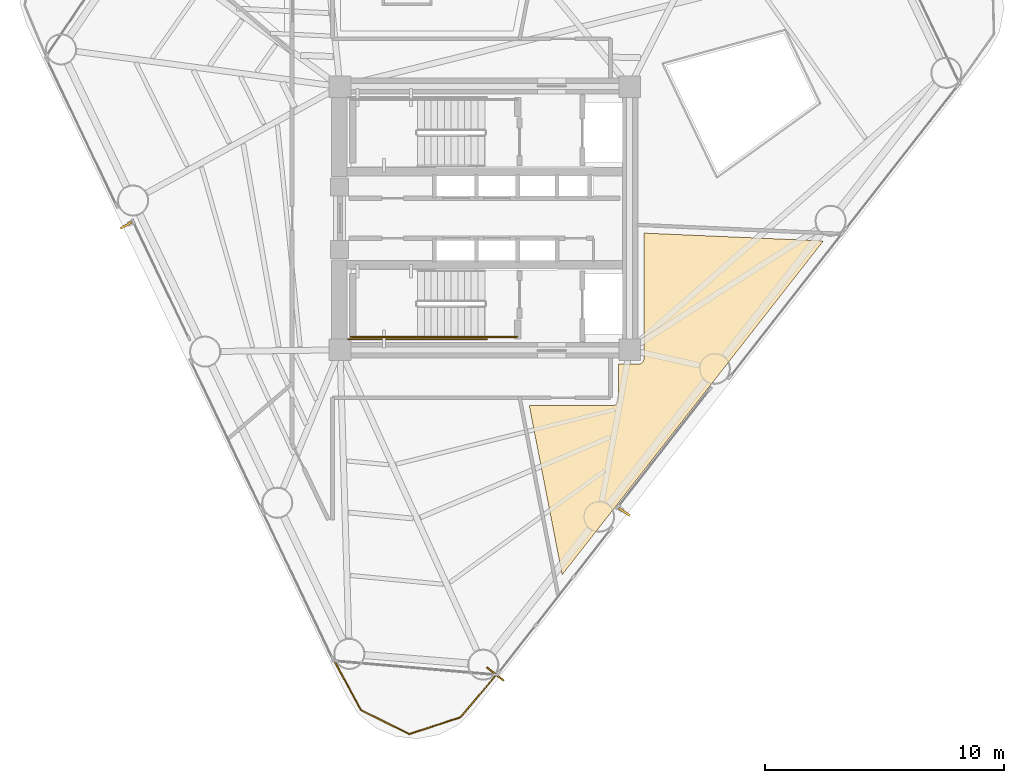
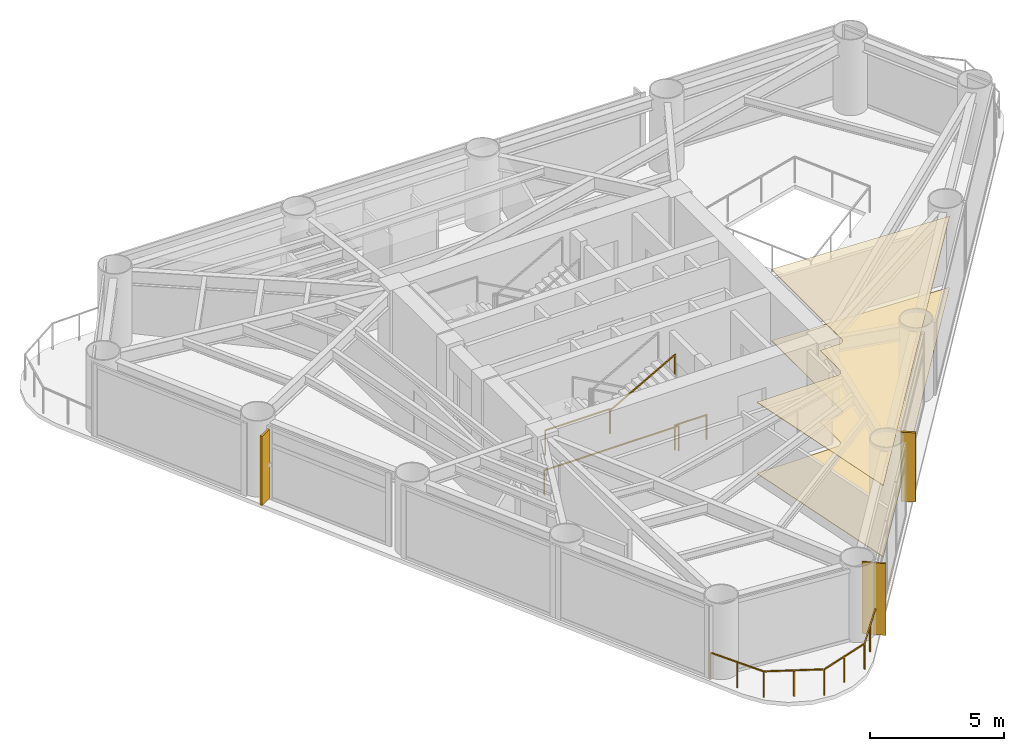
# One storey, part 8 of 10: 5 railings, 3 coverings, 2 shading devices.
"""IFC4 building model written with IfcOpenShell, lengths in metres."""

from ifc_helpers import new_model, si_unit, direction, frame, origin, origin_2d, place, context, subcontext, project, spatial, polyline, rectangle, outline, extrude, source, transform, mapped, material, layer, layer_set, material_profile, profile_set, type_object, element, save


model = new_model("IFC4")

# Units and contexts
model_context = context("Model", 3, precision=1e-05, world=origin(), true_north=direction((0.0, 1.0)))
body_context = subcontext(model_context, "Body", "Model", "MODEL_VIEW")
ifc_project = project(units=[si_unit("LENGTHUNIT", "METRE"), si_unit("AREAUNIT", "SQUARE_METRE"), si_unit("VOLUMEUNIT", "CUBIC_METRE"), si_unit("PLANEANGLEUNIT", "RADIAN"), si_unit("MASSUNIT", "GRAM", prefix="KILO")], contexts=[model_context])

# Site, building, storey
site_placement = place(None, origin())
site = spatial("IfcSite", under=ifc_project, at=site_placement, CompositionType="ELEMENT")
building_placement = place(site_placement, origin())
building = spatial("IfcBuilding", under=site, at=building_placement, Name="Yunling Apex Tower", CompositionType="ELEMENT")
storey_placement = place(building_placement, frame((0.0, 0.0, 146.75)))
storey = spatial("IfcBuildingStorey", under=building, at=storey_placement, Name="L36", CompositionType="ELEMENT", Elevation=146.75)

# Coverings
ifc_material_1 = material(Name="Acoustic mineral fibre ceiling")
ifc_layer_1 = layer(ifc_material_1, 0.02490234375)
ifc_layer_set_1 = layer_set([ifc_layer_1], Name="Acoustic mineral fibre ceiling")
covering_type_1 = type_object("IfcCoveringType", Name="CV-CLG-1", PredefinedType="CEILING", material=ifc_layer_set_1)
covering_1_placement = place(storey_placement, frame((0.0, 0.0, 3.2451171875)))
element("IfcCovering", 1, at=covering_1_placement, inside=storey, type_object=covering_type_1, Name="CV-CL-SP-L36-HAM1", PredefinedType="CEILING", context=body_context, shape_type="SweptSolid", body=[
    extrude(outline(polyline([(14.145263671875, -0.947998046875), (3.231689453125, -14.896484375), (1.858154296875, -7.830078125), (5.333740234375, -7.830078125), (5.35498046875, -7.829345703125), (5.380615234375, -7.824951171875), (5.402587890625, -7.819580078125), (5.4248046875, -7.8115234375), (5.4482421875, -7.80078125), (5.469970703125, -7.787353515625), (5.48876953125, -7.7734375), (5.5068359375, -7.7568359375), (5.5234375, -7.73876953125), (5.537353515625, -7.719970703125), (5.55078125, -7.6982421875), (5.5615234375, -7.6748046875), (5.569580078125, -7.652587890625), (5.574951171875, -7.630615234375), (5.579345703125, -7.60498046875), (5.580078125, -7.583740234375), (5.580078125, -6.10009765625), (6.40380859375, -6.10009765625), (6.4248046875, -6.099365234375), (6.45068359375, -6.094970703125), (6.472412109375, -6.089599609375), (6.494873046875, -6.08154296875), (6.518310546875, -6.07080078125), (6.5400390625, -6.057373046875), (6.55859375, -6.04345703125), (6.576904296875, -6.02685546875), (6.593505859375, -6.0087890625), (6.607421875, -5.989990234375), (6.62060546875, -5.96826171875), (6.631591796875, -5.94482421875), (6.639404296875, -5.922607421875), (6.64501953125, -5.900634765625), (6.6494140625, -5.875), (6.64990234375, -5.853759765625), (6.64990234375, -0.62060546875), (14.145263671875, -0.947998046875)])), origin(), (0.0, 0.0, 1.0), 0.02490234375),
])
ifc_material_2 = material(Name="Polished granite stone", Category="masonry")
ifc_layer_2 = layer(ifc_material_2, 0.030029296875)
ifc_layer_set_2 = layer_set([ifc_layer_2], Name="Polished granite stone")
covering_type_2 = type_object("IfcCoveringType", Name="CV-FLR-1", PredefinedType="FLOORING", material=ifc_layer_set_2)
covering_2_placement = place(storey_placement, origin())
element("IfcCovering", 2, at=covering_2_placement, inside=storey, type_object=covering_type_2, Name="CV-FL-SP-L36-HAM1", PredefinedType="FLOORING", context=body_context, shape_type="SweptSolid", body=[
    extrude(outline(polyline([(14.145263671875, -0.947998046875), (3.231689453125, -14.896484375), (1.858154296875, -7.830078125), (5.333740234375, -7.830078125), (5.35498046875, -7.829345703125), (5.380615234375, -7.824951171875), (5.402587890625, -7.819580078125), (5.4248046875, -7.8115234375), (5.4482421875, -7.80078125), (5.469970703125, -7.787353515625), (5.48876953125, -7.7734375), (5.5068359375, -7.7568359375), (5.5234375, -7.73876953125), (5.537353515625, -7.719970703125), (5.55078125, -7.6982421875), (5.5615234375, -7.6748046875), (5.569580078125, -7.652587890625), (5.574951171875, -7.630615234375), (5.579345703125, -7.60498046875), (5.580078125, -7.583740234375), (5.580078125, -6.10009765625), (6.40380859375, -6.10009765625), (6.4248046875, -6.099365234375), (6.45068359375, -6.094970703125), (6.472412109375, -6.089599609375), (6.494873046875, -6.08154296875), (6.518310546875, -6.07080078125), (6.5400390625, -6.057373046875), (6.55859375, -6.04345703125), (6.576904296875, -6.02685546875), (6.593505859375, -6.0087890625), (6.607421875, -5.989990234375), (6.62060546875, -5.96826171875), (6.631591796875, -5.94482421875), (6.639404296875, -5.922607421875), (6.64501953125, -5.900634765625), (6.6494140625, -5.875), (6.64990234375, -5.853759765625), (6.64990234375, -0.62060546875), (14.145263671875, -0.947998046875)])), origin(), (0.0, 0.0, 1.0), 0.030029296875),
])

# Railings
ifc_material_3 = material(Name="Bronze anodised aluminium", Category="aluminium")
railing_type_1 = type_object("IfcRailingType", Name="RL-BAL-1200", PredefinedType="BALUSTRADE", material=ifc_material_3)
railing_1_placement = place(storey_placement, frame((0.4794921875, -19.07958984375, 0.0)))
element("IfcRailing", 3, at=railing_1_placement, inside=storey, type_object=railing_type_1, Name="RL-CRNSILL-L36-3", PredefinedType="BALUSTRADE", context=body_context, shape_type="SweptSolid", body=[
    extrude(rectangle(XDim=0.0439453125, YDim=0.0439453125, at=origin_2d()), origin(), (0.0, 0.0, 1.0), 1.199951171875),
    extrude(rectangle(XDim=0.0439453125, YDim=0.0439453125, at=origin_2d()), frame((-1.49853515625, -1.775390625, 0.0)), (0.0, 0.0, 1.0), 1.199951171875),
    extrude(rectangle(XDim=0.050048828125, YDim=0.050048828125, at=origin_2d()), frame((-0.024658203125, -0.029296875, 1.1748046875), z_axis=(-0.645009043245, -0.764174936865, 0.0), x_axis=(0.764174936865, -0.645009043245, 0.0)), (0.0, 0.0, 1.0), 2.24658203125),
    extrude(rectangle(XDim=0.0439453125, YDim=0.0439453125, at=origin_2d()), frame((-0.749267578125, -0.8876953125, 0.0)), (0.0, 0.0, 1.0), 1.14599609375),
    extrude(rectangle(XDim=0.0439453125, YDim=0.0439453125, at=origin_2d()), frame((-3.640380859375, -2.473876953125, 0.0)), (0.0, 0.0, 1.0), 1.199951171875),
    extrude(rectangle(XDim=0.050048828125, YDim=0.050048828125, at=origin_2d()), frame((-1.534912109375, -1.787353515625, 1.1748046875), z_axis=(-0.950722201045, -0.310044023389, 0.0), x_axis=(0.310044023389, -0.950722201045, 0.0)), (0.0, 0.0, 1.0), 2.17626953125),
    extrude(rectangle(XDim=0.0439453125, YDim=0.0439453125, at=origin_2d()), frame((-2.5693359375, -2.12451171875, 0.0)), (0.0, 0.0, 1.0), 1.14599609375),
    extrude(rectangle(XDim=0.0439453125, YDim=0.0439453125, at=origin_2d()), frame((-5.662841796875, -1.464111328125, 0.0)), (0.0, 0.0, 1.0), 1.199951171875),
    extrude(rectangle(XDim=0.050048828125, YDim=0.050048828125, at=origin_2d()), frame((-3.674560546875, -2.456787109375, 1.1748046875), z_axis=(-0.894686244893, 0.446695112129, 0.0), x_axis=(-0.446695112129, -0.894686244893, 0.0)), (0.0, 0.0, 1.0), 2.183837890625),
    extrude(rectangle(XDim=0.0439453125, YDim=0.0439453125, at=origin_2d()), frame((-4.651611328125, -1.968994140625, 0.0)), (0.0, 0.0, 1.0), 1.14599609375),
    extrude(rectangle(XDim=0.0439453125, YDim=0.0439453125, at=origin_2d()), frame((-6.76416015625, 0.580810546875, 0.0)), (0.0, 0.0, 1.0), 1.199951171875),
    extrude(rectangle(XDim=0.050048828125, YDim=0.050048828125, at=origin_2d()), frame((-5.680908203125, -1.430419921875, 1.1748046875), z_axis=(-0.474168772438, 0.880433969838, 0.0), x_axis=(-0.880433969838, -0.474168772438, 0.0)), (0.0, 0.0, 1.0), 2.245849609375),
    extrude(rectangle(XDim=0.0439453125, YDim=0.0439453125, at=origin_2d()), frame((-6.21337890625, -0.441650390625, 0.0)), (0.0, 0.0, 1.0), 1.14599609375),
])
ifc_material_4 = material(Name="Steel Q355B", Category="steel")
railing_type_2 = type_object("IfcRailingType", Name="RL-GRD-1150", PredefinedType="GUARDRAIL", material=ifc_material_4)
railing_2_placement = place(storey_placement, frame((-2.81005859375, -4.9599609375, 1.72509765625)))
element("IfcRailing", 4, at=railing_2_placement, inside=storey, type_object=railing_type_2, Name="L36 ST-2 stair guard 3", PredefinedType="GUARDRAIL", context=body_context, shape_type="SweptSolid", body=[
    extrude(rectangle(XDim=0.0439453125, YDim=0.0439453125, at=origin_2d()), origin(), (0.0, 0.0, 1.0), 1.14990234375),
    extrude(rectangle(XDim=0.0439453125, YDim=0.0439453125, at=origin_2d()), frame((-2.7900390625, 0.0, 0.0)), (0.0, 0.0, 1.0), 1.14990234375),
    extrude(rectangle(XDim=0.050048828125, YDim=0.050048828125, at=origin_2d()), frame((-0.038330078125, 0.0, 1.125), z_axis=(-1.0, 0.0, 0.0), x_axis=(0.0, -1.0, 0.0)), (0.0, 0.0, 1.0), 2.71337890625),
])
railing_3_placement = place(storey_placement, frame((1.35009765625, -4.9599609375, 0.0)))
element("IfcRailing", 5, at=railing_3_placement, inside=storey, type_object=railing_type_2, Name="L36 ST-2 stair guard 6", PredefinedType="GUARDRAIL", context=body_context, shape_type="SweptSolid", body=[
    extrude(rectangle(XDim=0.0439453125, YDim=0.0439453125, at=origin_2d()), origin(), (0.0, 0.0, 1.0), 1.14990234375),
    extrude(rectangle(XDim=0.0439453125, YDim=0.0439453125, at=origin_2d()), frame((-1.360107421875, 0.0, 0.0)), (0.0, 0.0, 1.0), 1.14990234375),
    extrude(rectangle(XDim=0.050048828125, YDim=0.050048828125, at=origin_2d()), frame((-0.038330078125, 0.0, 1.125), z_axis=(-1.0, 0.0, 0.0), x_axis=(0.0, -1.0, 0.0)), (0.0, 0.0, 1.0), 1.283447265625),
])
railing_4_placement = place(storey_placement, frame((0.090087890625, -5.06005859375, 0.0)))
element("IfcRailing", 6, at=railing_4_placement, inside=storey, type_object=railing_type_2, Name="L36 ST-2 stair guard 7", PredefinedType="GUARDRAIL", context=body_context, shape_type="SweptSolid", body=[
    extrude(rectangle(XDim=0.0439453125, YDim=0.0439453125, at=origin_2d()), origin(), (0.0, 0.0, 1.0), 1.14990234375),
    extrude(rectangle(XDim=0.0439453125, YDim=0.0439453125, at=origin_2d()), frame((-5.7900390625, 0.0, 0.0)), (0.0, 0.0, 1.0), 1.14990234375),
    extrude(rectangle(XDim=0.050048828125, YDim=0.050048828125, at=origin_2d()), frame((-0.038330078125, 0.0, 1.125), z_axis=(-1.0, 0.0, 0.0), x_axis=(0.0, -1.0, 0.0)), (0.0, 0.0, 1.0), 5.71337890625),
])
ifc_material_5 = material(Name="Silver anodised aluminium", Category="aluminium")
railing_type_3 = type_object("IfcRailingType", Name="RL-HND-900", PredefinedType="HANDRAIL", material=ifc_material_5)
railing_5_placement = place(storey_placement, frame((-2.81005859375, -4.9599609375, 1.8818359375)))
element("IfcRailing", 7, at=railing_5_placement, inside=storey, type_object=railing_type_3, Name="L36 ST-2 stair handrail 2", PredefinedType="HANDRAIL", context=body_context, shape_type="SweptSolid", body=[
    extrude(rectangle(XDim=0.0439453125, YDim=0.0439453125, at=origin_2d()), origin(), (0.0, 0.0, 1.0), 0.919921875),
    extrude(rectangle(XDim=0.0439453125, YDim=0.0439453125, at=origin_2d()), frame((2.800048828125, 0.0, 1.568115234375)), (0.0, 0.0, 1.0), 0.919921875),
    extrude(rectangle(XDim=0.050048828125, YDim=0.050048828125, at=origin_2d()), frame((0.033447265625, 0.0, 0.91357421875), z_axis=(0.872494340497, 0.0, 0.48862421737), x_axis=(0.0, 1.0, 0.0)), (0.0, 0.0, 1.0), 3.132568359375),
])

# Covering
ifc_layer_3 = layer(ifc_material_3, 0.0400390625)
ifc_layer_set_3 = layer_set([ifc_layer_3], Name="Bronze anodised aluminium")
covering_type_3 = type_object("IfcCoveringType", Name="CV-CLD-1", PredefinedType="CLADDING", material=ifc_layer_set_3)
shared_shape_1 = source(origin(), body_context, "Body", "SweptSolid", [
    extrude(rectangle(XDim=0.06005859375, YDim=0.89990234375, at=origin_2d()), origin(), (0.0, 0.0, 1.0), 3.27001953125),
])
covering_3_placement = place(storey_placement, frame((0.43212890625, -19.042724609375, 0.0), z_axis=(0.0, 0.0, 1.0), x_axis=(0.616211460536, 0.787580748815, 0.0)))
element("IfcCovering", 8, at=covering_3_placement, inside=storey, type_object=covering_type_3, Name="CV-CLD-L36", PredefinedType="CLADDING", context=body_context, shape_type="MappedRepresentation", body=[
    mapped(shared_shape_1, transform((0.0, 0.0, 0.0), scale=1.0)),
])

# Shading devices
ifc_material_profile = material_profile(ifc_material_3, rectangle(XDim=0.0849609375, YDim=0.550048828125, at=origin_2d()))
ifc_profile_set = profile_set([ifc_material_profile], Name="Bronze anodised aluminium")
shading_device_type = type_object("IfcShadingDeviceType", Name="FN-BRZ-3", PredefinedType="USERDEFINED", material=ifc_profile_set)
shared_shape_2 = source(origin(), body_context, "Body", "SweptSolid", [
    extrude(rectangle(XDim=0.0849609375, YDim=0.550048828125, at=origin_2d()), origin(), (0.0, 0.0, 1.0), 3.14990234375),
])
for number, where, z_axis, x_axis, name in (
    (9, (5.82763671875, -12.268310546875, 0.06005859375), (0.0, 0.0, 1.0), (0.563381859003, 0.826196635763, 0.0), "CW-L36-F1-B2-FIN-01"),
    (10, (-14.984375, -0.2939453125, 0.06005859375), (0.0, 0.0, 1.0), (0.488621241497, -0.872496007073, 0.0), "CW-L36-F3-B2-FIN-01"),
):
    element("IfcShadingDevice", number, at=place(storey_placement, frame(where, z_axis=z_axis, x_axis=x_axis)), inside=storey, type_object=shading_device_type, Name=name, ObjectType="FIN", PredefinedType="USERDEFINED", context=body_context, shape_type="MappedRepresentation", body=[
        mapped(shared_shape_2, transform((0.0, 0.0, 0.0), scale=1.0)),
    ])

save(model, "model.ifc")
